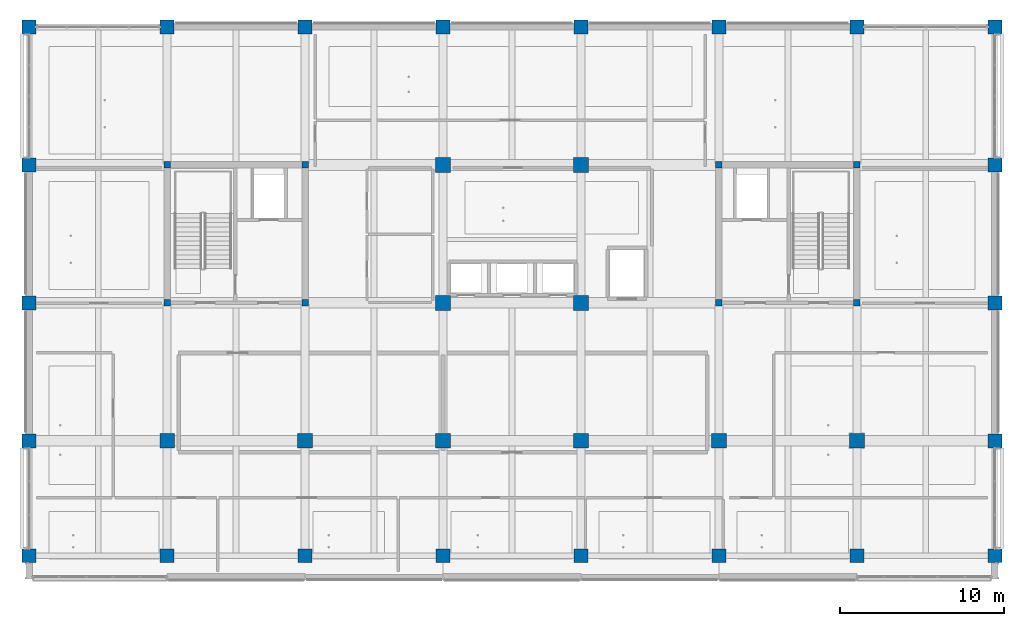
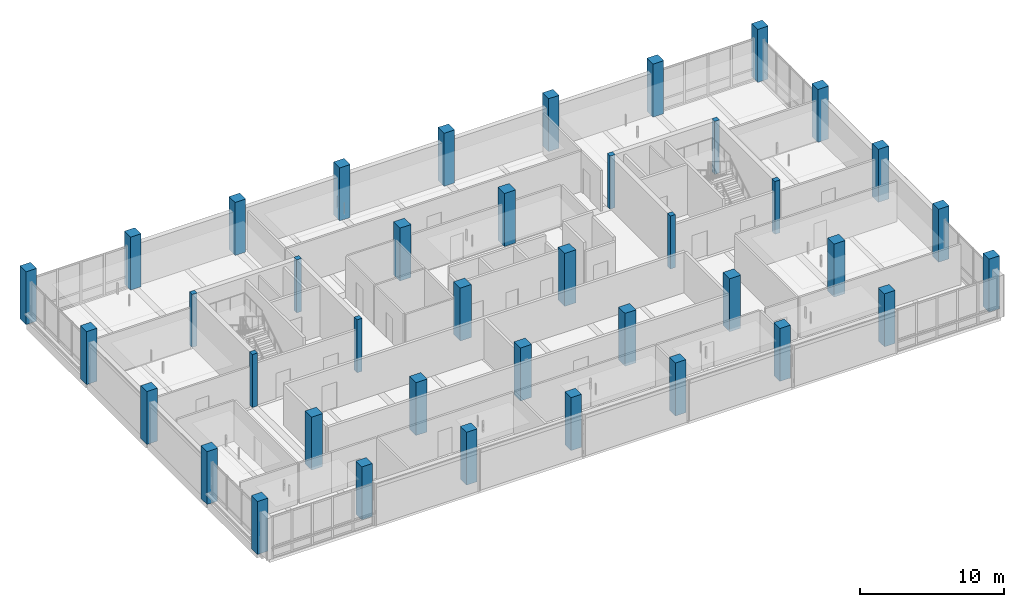
# One storey, part 1 of 36: 40 columns.
"""IFC4 building model written with IfcOpenShell, lengths in metres."""

from ifc_helpers import new_model, si_unit, direction, frame, origin, origin_2d, place, context, subcontext, project, spatial, rectangle, extrude, material, material_profile, profile_set, type_object, element, save


model = new_model("IFC4")

# Units and contexts
model_context = context("Model", 3, precision=1e-05, world=origin(), true_north=direction((0.0, 1.0)))
body_context = subcontext(model_context, "Body", "Model", "MODEL_VIEW")
ifc_project = project(units=[si_unit("LENGTHUNIT", "METRE"), si_unit("AREAUNIT", "SQUARE_METRE"), si_unit("VOLUMEUNIT", "CUBIC_METRE"), si_unit("PLANEANGLEUNIT", "RADIAN"), si_unit("MASSUNIT", "GRAM", prefix="KILO")], contexts=[model_context])

# Site, building, storey
site_placement = place(None, origin())
site = spatial("IfcSite", under=ifc_project, at=site_placement, CompositionType="ELEMENT")
building_placement = place(site_placement, origin())
building = spatial("IfcBuilding", under=site, at=building_placement, Name="Telukmera Botanical Conservatory", CompositionType="ELEMENT")
storey_placement = place(building_placement, frame((0.0, 0.0, 24.0)))
storey = spatial("IfcBuildingStorey", under=building, at=storey_placement, Name="L05", CompositionType="ELEMENT", Elevation=24.0)

# Columns
ifc_material = material(Name="Concrete C50/60", Category="concrete")
ifc_material_profile_1 = material_profile(ifc_material, rectangle(XDim=0.39990234375, YDim=0.39990234375, at=origin_2d()), Name="RC 400x400")
ifc_profile_set_1 = profile_set([ifc_material_profile_1], Name="Concrete C50/60")
column_type_1 = type_object("IfcColumnType", Name="Col_C14", PredefinedType="COLUMN", material=ifc_profile_set_1)
for number, where, z_axis, x_axis, name in (
    (1, (58.800048828125, 26.0, 0.0), (0.0, 0.0, 1.0), (1.0, 0.0, 0.0), "Column V4-L05 (58.8,26.0)"),
    (2, (58.800048828125, 34.39990234375, 0.0), (0.0, 0.0, 1.0), (1.0, 0.0, 0.0), "Column V4-L05 (58.8,34.4)"),
    (3, (67.199951171875, 26.0, 0.0), (0.0, 0.0, 1.0), (1.0, 0.0, 0.0), "Column V4-L05 (67.2,26.0)"),
    (4, (67.199951171875, 34.39990234375, 0.0), (0.0, 0.0, 1.0), (1.0, 0.0, 0.0), "Column V4-L05 (67.2,34.4)"),
    (5, (92.39990234375, 26.0, 0.0), (0.0, 0.0, 1.0), (1.0, 0.0, 0.0), "Column V4-L05 (92.4,26.0)"),
    (6, (92.39990234375, 34.39990234375, 0.0), (0.0, 0.0, 1.0), (1.0, 0.0, 0.0), "Column V4-L05 (92.4,34.4)"),
    (7, (100.800048828125, 26.0, 0.0), (0.0, 0.0, 1.0), (1.0, 0.0, 0.0), "Column V4-L05 (100.8,26.0)"),
    (8, (100.800048828125, 34.39990234375, 0.0), (0.0, 0.0, 1.0), (1.0, 0.0, 0.0), "Column V4-L05 (100.8,34.4)"),
):
    element("IfcColumn", number, at=place(storey_placement, frame(where, z_axis=z_axis, x_axis=x_axis)), inside=storey, type_object=column_type_1, Name=name, PredefinedType="COLUMN", context=body_context, shape_type="SweptSolid", body=[
        extrude(rectangle(XDim=0.39990234375, YDim=0.39990234375, at=origin_2d()), origin(), (0.0, 0.0, 1.0), 4.5),
    ])
ifc_material_profile_2 = material_profile(ifc_material, rectangle(XDim=0.89990234375, YDim=0.89990234375, at=origin_2d()), Name="RC 900x900")
ifc_profile_set_2 = profile_set([ifc_material_profile_2], Name="Concrete C50/60")
column_type_2 = type_object("IfcColumnType", Name="Col_C5", PredefinedType="COLUMN", material=ifc_profile_set_2)
for number, where, z_axis, x_axis, name in (
    (9, (58.800048828125, 17.60009765625, 0.0), (0.0, 0.0, 1.0), (1.0, 0.0, 0.0), "Column V4-L05 (58.8,17.6)"),
    (10, (67.199951171875, 17.60009765625, 0.0), (0.0, 0.0, 1.0), (1.0, 0.0, 0.0), "Column V4-L05 (67.2,17.6)"),
    (11, (75.60009765625, 17.60009765625, 0.0), (0.0, 0.0, 1.0), (1.0, 0.0, 0.0), "Column V4-L05 (75.6,17.6)"),
    (12, (75.60009765625, 26.0, 0.0), (0.0, 0.0, 1.0), (1.0, 0.0, 0.0), "Column V4-L05 (75.6,26.0)"),
    (13, (75.60009765625, 34.39990234375, 0.0), (0.0, 0.0, 1.0), (1.0, 0.0, 0.0), "Column V4-L05 (75.6,34.4)"),
    (14, (84.0, 17.60009765625, 0.0), (0.0, 0.0, 1.0), (1.0, 0.0, 0.0), "Column V4-L05 (84.0,17.6)"),
    (15, (84.0, 26.0, 0.0), (0.0, 0.0, 1.0), (1.0, 0.0, 0.0), "Column V4-L05 (84.0,26.0)"),
    (16, (84.0, 34.39990234375, 0.0), (0.0, 0.0, 1.0), (1.0, 0.0, 0.0), "Column V4-L05 (84.0,34.4)"),
    (17, (92.39990234375, 17.60009765625, 0.0), (0.0, 0.0, 1.0), (1.0, 0.0, 0.0), "Column V4-L05 (92.4,17.6)"),
    (18, (100.800048828125, 17.60009765625, 0.0), (0.0, 0.0, 1.0), (1.0, 0.0, 0.0), "Column V4-L05 (100.8,17.6)"),
):
    element("IfcColumn", number, at=place(storey_placement, frame(where, z_axis=z_axis, x_axis=x_axis)), inside=storey, type_object=column_type_2, Name=name, PredefinedType="COLUMN", context=body_context, shape_type="SweptSolid", body=[
        extrude(rectangle(XDim=0.89990234375, YDim=0.89990234375, at=origin_2d()), origin(), (0.0, 0.0, 1.0), 4.5),
    ])
ifc_material_profile_3 = material_profile(ifc_material, rectangle(XDim=0.85009765625, YDim=0.85009765625, at=origin_2d()), Name="RC 850x850")
ifc_profile_set_3 = profile_set([ifc_material_profile_3], Name="Concrete C50/60")
column_type_3 = type_object("IfcColumnType", Name="Col_C6", PredefinedType="COLUMN", material=ifc_profile_set_3)
for number, where, z_axis, x_axis, name in (
    (19, (50.39990234375, 10.60009765625, 0.0), (0.0, 0.0, 1.0), (1.0, 0.0, 0.0), "Column V4-L05 (50.4,10.6)"),
    (20, (50.39990234375, 17.60009765625, 0.0), (0.0, 0.0, 1.0), (1.0, 0.0, 0.0), "Column V4-L05 (50.4,17.6)"),
    (21, (50.39990234375, 26.0, 0.0), (0.0, 0.0, 1.0), (1.0, 0.0, 0.0), "Column V4-L05 (50.4,26.0)"),
    (22, (50.39990234375, 34.39990234375, 0.0), (0.0, 0.0, 1.0), (1.0, 0.0, 0.0), "Column V4-L05 (50.4,34.4)"),
    (23, (50.39990234375, 42.800048828125, 0.0), (0.0, 0.0, 1.0), (1.0, 0.0, 0.0), "Column V4-L05 (50.4,42.8)"),
    (24, (58.800048828125, 10.60009765625, 0.0), (0.0, 0.0, 1.0), (1.0, 0.0, 0.0), "Column V4-L05 (58.8,10.6)"),
    (25, (58.800048828125, 42.800048828125, 0.0), (0.0, 0.0, 1.0), (1.0, 0.0, 0.0), "Column V4-L05 (58.8,42.8)"),
    (26, (67.199951171875, 10.60009765625, 0.0), (0.0, 0.0, 1.0), (1.0, 0.0, 0.0), "Column V4-L05 (67.2,10.6)"),
    (27, (67.199951171875, 42.800048828125, 0.0), (0.0, 0.0, 1.0), (1.0, 0.0, 0.0), "Column V4-L05 (67.2,42.8)"),
    (28, (75.60009765625, 10.60009765625, 0.0), (0.0, 0.0, 1.0), (1.0, 0.0, 0.0), "Column V4-L05 (75.6,10.6)"),
    (29, (75.60009765625, 42.800048828125, 0.0), (0.0, 0.0, 1.0), (1.0, 0.0, 0.0), "Column V4-L05 (75.6,42.8)"),
    (30, (84.0, 10.60009765625, 0.0), (0.0, 0.0, 1.0), (1.0, 0.0, 0.0), "Column V4-L05 (84.0,10.6)"),
    (31, (84.0, 42.800048828125, 0.0), (0.0, 0.0, 1.0), (1.0, 0.0, 0.0), "Column V4-L05 (84.0,42.8)"),
    (32, (92.39990234375, 10.60009765625, 0.0), (0.0, 0.0, 1.0), (1.0, 0.0, 0.0), "Column V4-L05 (92.4,10.6)"),
    (33, (92.39990234375, 42.800048828125, 0.0), (0.0, 0.0, 1.0), (1.0, 0.0, 0.0), "Column V4-L05 (92.4,42.8)"),
    (34, (100.800048828125, 10.60009765625, 0.0), (0.0, 0.0, 1.0), (1.0, 0.0, 0.0), "Column V4-L05 (100.8,10.6)"),
    (35, (100.800048828125, 42.800048828125, 0.0), (0.0, 0.0, 1.0), (1.0, 0.0, 0.0), "Column V4-L05 (100.8,42.8)"),
    (36, (109.199951171875, 10.60009765625, 0.0), (0.0, 0.0, 1.0), (1.0, 0.0, 0.0), "Column V4-L05 (109.2,10.6)"),
    (37, (109.199951171875, 17.60009765625, 0.0), (0.0, 0.0, 1.0), (1.0, 0.0, 0.0), "Column V4-L05 (109.2,17.6)"),
    (38, (109.199951171875, 26.0, 0.0), (0.0, 0.0, 1.0), (1.0, 0.0, 0.0), "Column V4-L05 (109.2,26.0)"),
    (39, (109.199951171875, 34.39990234375, 0.0), (0.0, 0.0, 1.0), (1.0, 0.0, 0.0), "Column V4-L05 (109.2,34.4)"),
    (40, (109.199951171875, 42.800048828125, 0.0), (0.0, 0.0, 1.0), (1.0, 0.0, 0.0), "Column V4-L05 (109.2,42.8)"),
):
    element("IfcColumn", number, at=place(storey_placement, frame(where, z_axis=z_axis, x_axis=x_axis)), inside=storey, type_object=column_type_3, Name=name, PredefinedType="COLUMN", context=body_context, shape_type="SweptSolid", body=[
        extrude(rectangle(XDim=0.85009765625, YDim=0.85009765625, at=origin_2d()), origin(), (0.0, 0.0, 1.0), 4.5),
    ])

save(model, "model.ifc")
